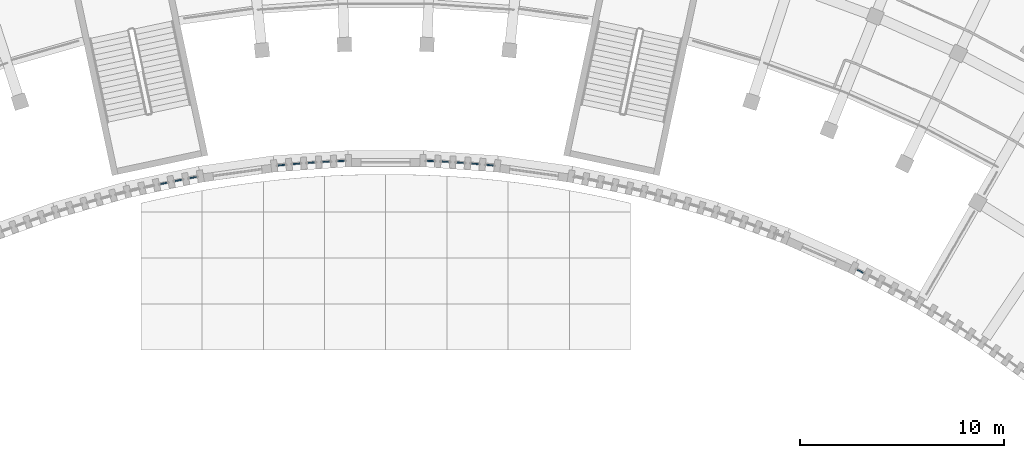
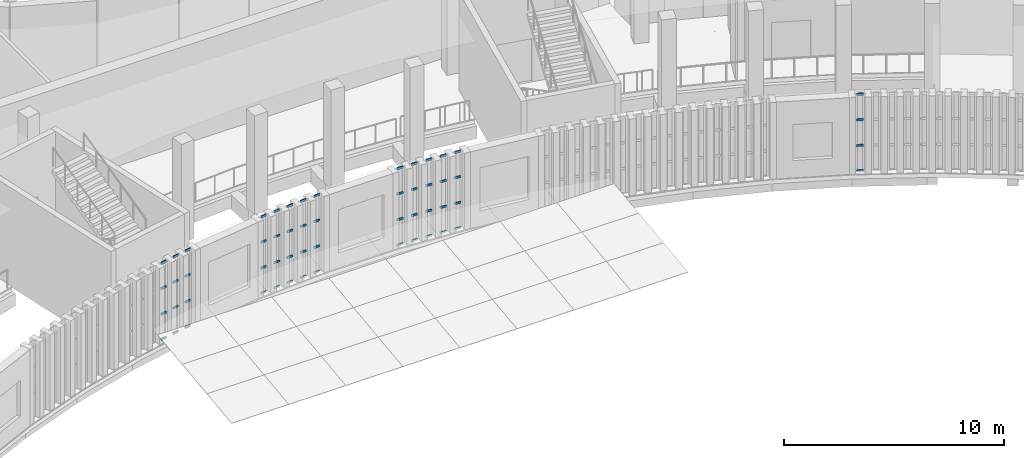
# One storey, part 34 of 112: 56 members, 14 elements without a shape of their own.
"""IFC4 building model written with IfcOpenShell, lengths in metres."""

from ifc_helpers import new_model, si_unit, direction, frame, origin, origin_2d, place, context, subcontext, project, spatial, rectangle, extrude, material, layer, layer_set, material_profile, profile_set, type_object, element, aggregate, save


model = new_model("IFC4")

# Units and contexts
model_context = context("Model", 3, precision=1e-05, world=origin(), true_north=direction((0.0, 1.0)))
body_context = subcontext(model_context, "Body", "Model", "MODEL_VIEW")
ifc_project = project(units=[si_unit("LENGTHUNIT", "METRE"), si_unit("AREAUNIT", "SQUARE_METRE"), si_unit("VOLUMEUNIT", "CUBIC_METRE"), si_unit("PLANEANGLEUNIT", "RADIAN"), si_unit("MASSUNIT", "GRAM", prefix="KILO")], contexts=[model_context])

# Site, building, storey
site_placement = place(None, origin())
site = spatial("IfcSite", under=ifc_project, at=site_placement, CompositionType="ELEMENT")
building_placement = place(site_placement, origin())
building = spatial("IfcBuilding", under=site, at=building_placement, Name="Lunette Opera House", CompositionType="ELEMENT")
storey_placement = place(building_placement, frame((0.0, 0.0, 6.0)))
storey = spatial("IfcBuildingStorey", under=building, at=storey_placement, Name="L01", CompositionType="ELEMENT", Elevation=6.0)

# Curtain wall, members
ifc_material_1 = material(Name="Aluminium", Category="aluminium")
ifc_layer = layer(ifc_material_1, 0.1201171875)
ifc_layer_set = layer_set([ifc_layer], Name="Aluminium")
curtain_wall_type = type_object("IfcCurtainWallType", Name="SLOT CURTAIN WALL", PredefinedType="NOTDEFINED", material=ifc_layer_set)
curtain_wall_1_placement = place(storey_placement, origin())
curtain_wall_1 = element("IfcCurtainWall", 1, at=curtain_wall_1_placement, inside=storey, type_object=curtain_wall_type, Name="Slot Curtain Wall CS033 L01", PredefinedType="NOTDEFINED")
ifc_material_2 = material(Name="Aluminium", Category="aluminium")
ifc_material_profile = material_profile(ifc_material_2, rectangle(XDim=0.06005859375, YDim=0.1201171875, at=origin_2d()), Name="TRANSOM 60 X 120")
ifc_profile_set = profile_set([ifc_material_profile], Name="Aluminium")
member_type = type_object("IfcMemberType", Name="TRANSOM 60 X 120", PredefinedType="USERDEFINED", material=ifc_profile_set)
member_1_placement = place(storey_placement, frame((84.974609375, 51.12451171875, 0.030029296875), z_axis=(0.978533089952, 0.206089766533, 0.0), x_axis=(-0.206089766533, 0.978533089952, 0.0)))
member_1 = element("IfcMember", 2, at=member_1_placement, type_object=member_type, Name="FC-X2066 transom 1.1", ObjectType="TRANSOM", PredefinedType="USERDEFINED", context=body_context, shape_type="SweptSolid", body=[
    extrude(rectangle(XDim=0.06005859375, YDim=0.1201171875, at=origin_2d()), origin(), (0.0, 0.0, 1.0), 0.310302734375),
])
member_2_placement = place(storey_placement, frame((84.974609375, 51.12451171875, 1.43310546875), z_axis=(0.978533089952, 0.206089766533, 0.0), x_axis=(-0.206089766533, 0.978533089952, 0.0)))
member_2 = element("IfcMember", 3, at=member_2_placement, type_object=member_type, Name="FC-X2066 transom 1.2", ObjectType="TRANSOM", PredefinedType="USERDEFINED", context=body_context, shape_type="SweptSolid", body=[
    extrude(rectangle(XDim=0.06005859375, YDim=0.1201171875, at=origin_2d()), origin(), (0.0, 0.0, 1.0), 0.310302734375),
])
member_3_placement = place(storey_placement, frame((84.974609375, 51.12451171875, 2.866943359375), z_axis=(0.978533089952, 0.206089766533, 0.0), x_axis=(-0.206089766533, 0.978533089952, 0.0)))
member_3 = element("IfcMember", 4, at=member_3_placement, type_object=member_type, Name="FC-X2066 transom 1.3", ObjectType="TRANSOM", PredefinedType="USERDEFINED", context=body_context, shape_type="SweptSolid", body=[
    extrude(rectangle(XDim=0.06005859375, YDim=0.1201171875, at=origin_2d()), origin(), (0.0, 0.0, 1.0), 0.310302734375),
])
member_4_placement = place(storey_placement, frame((84.974609375, 51.12451171875, 4.27001953125), z_axis=(0.978533089952, 0.206089766533, 0.0), x_axis=(-0.206089766533, 0.978533089952, 0.0)))
member_4 = element("IfcMember", 5, at=member_4_placement, type_object=member_type, Name="FC-X2066 transom 1.4", ObjectType="TRANSOM", PredefinedType="USERDEFINED", context=body_context, shape_type="SweptSolid", body=[
    extrude(rectangle(XDim=0.06005859375, YDim=0.1201171875, at=origin_2d()), origin(), (0.0, 0.0, 1.0), 0.310302734375),
])
aggregate(curtain_wall_1, [member_1, member_2, member_3, member_4])

curtain_wall_2_placement = place(storey_placement, origin())
curtain_wall_2 = element("IfcCurtainWall", 6, at=curtain_wall_2_placement, inside=storey, type_object=curtain_wall_type, Name="Slot Curtain Wall CS034 L01", PredefinedType="NOTDEFINED")
member_5_placement = place(storey_placement, frame((85.68994140625, 51.273681640625, 0.030029296875), z_axis=(0.981211567536, 0.192934858785, 0.0), x_axis=(-0.192934858785, 0.981211567536, 0.0)))
member_5 = element("IfcMember", 7, at=member_5_placement, type_object=member_type, Name="FC-X2068 transom 1.1", ObjectType="TRANSOM", PredefinedType="USERDEFINED", context=body_context, shape_type="SweptSolid", body=[
    extrude(rectangle(XDim=0.06005859375, YDim=0.1201171875, at=origin_2d()), origin(), (0.0, 0.0, 1.0), 0.31005859375),
])
member_6_placement = place(storey_placement, frame((85.68994140625, 51.273681640625, 1.43310546875), z_axis=(0.981211567536, 0.192934858785, 0.0), x_axis=(-0.192934858785, 0.981211567536, 0.0)))
member_6 = element("IfcMember", 8, at=member_6_placement, type_object=member_type, Name="FC-X2068 transom 1.2", ObjectType="TRANSOM", PredefinedType="USERDEFINED", context=body_context, shape_type="SweptSolid", body=[
    extrude(rectangle(XDim=0.06005859375, YDim=0.1201171875, at=origin_2d()), origin(), (0.0, 0.0, 1.0), 0.31005859375),
])
member_7_placement = place(storey_placement, frame((85.68994140625, 51.273681640625, 2.866943359375), z_axis=(0.981211567536, 0.192934858785, 0.0), x_axis=(-0.192934858785, 0.981211567536, 0.0)))
member_7 = element("IfcMember", 9, at=member_7_placement, type_object=member_type, Name="FC-X2068 transom 1.3", ObjectType="TRANSOM", PredefinedType="USERDEFINED", context=body_context, shape_type="SweptSolid", body=[
    extrude(rectangle(XDim=0.06005859375, YDim=0.1201171875, at=origin_2d()), origin(), (0.0, 0.0, 1.0), 0.31005859375),
])
member_8_placement = place(storey_placement, frame((85.68994140625, 51.273681640625, 4.27001953125), z_axis=(0.981211567536, 0.192934858785, 0.0), x_axis=(-0.192934858785, 0.981211567536, 0.0)))
member_8 = element("IfcMember", 10, at=member_8_placement, type_object=member_type, Name="FC-X2068 transom 1.4", ObjectType="TRANSOM", PredefinedType="USERDEFINED", context=body_context, shape_type="SweptSolid", body=[
    extrude(rectangle(XDim=0.06005859375, YDim=0.1201171875, at=origin_2d()), origin(), (0.0, 0.0, 1.0), 0.31005859375),
])
aggregate(curtain_wall_2, [member_5, member_6, member_7, member_8])

curtain_wall_3_placement = place(storey_placement, origin())
curtain_wall_3 = element("IfcCurtainWall", 11, at=curtain_wall_3_placement, inside=storey, type_object=curtain_wall_type, Name="Slot Curtain Wall CS035 L01", PredefinedType="NOTDEFINED")
member_9_placement = place(storey_placement, frame((86.406005859375, 51.412841796875, 0.030029296875), z_axis=(0.983982796931, 0.178263443658, 0.0), x_axis=(-0.178263443658, 0.983982796931, 0.0)))
member_9 = element("IfcMember", 12, at=member_9_placement, type_object=member_type, Name="FC-X2070 transom 1.1", ObjectType="TRANSOM", PredefinedType="USERDEFINED", context=body_context, shape_type="SweptSolid", body=[
    extrude(rectangle(XDim=0.06005859375, YDim=0.1201171875, at=origin_2d()), origin(), (0.0, 0.0, 1.0), 0.310791015625),
])
member_10_placement = place(storey_placement, frame((86.406005859375, 51.412841796875, 1.43310546875), z_axis=(0.983982796931, 0.178263443658, 0.0), x_axis=(-0.178263443658, 0.983982796931, 0.0)))
member_10 = element("IfcMember", 13, at=member_10_placement, type_object=member_type, Name="FC-X2070 transom 1.2", ObjectType="TRANSOM", PredefinedType="USERDEFINED", context=body_context, shape_type="SweptSolid", body=[
    extrude(rectangle(XDim=0.06005859375, YDim=0.1201171875, at=origin_2d()), origin(), (0.0, 0.0, 1.0), 0.310791015625),
])
member_11_placement = place(storey_placement, frame((86.406005859375, 51.412841796875, 2.866943359375), z_axis=(0.983982796931, 0.178263443658, 0.0), x_axis=(-0.178263443658, 0.983982796931, 0.0)))
member_11 = element("IfcMember", 14, at=member_11_placement, type_object=member_type, Name="FC-X2070 transom 1.3", ObjectType="TRANSOM", PredefinedType="USERDEFINED", context=body_context, shape_type="SweptSolid", body=[
    extrude(rectangle(XDim=0.06005859375, YDim=0.1201171875, at=origin_2d()), origin(), (0.0, 0.0, 1.0), 0.310791015625),
])
member_12_placement = place(storey_placement, frame((86.406005859375, 51.412841796875, 4.27001953125), z_axis=(0.983982796931, 0.178263443658, 0.0), x_axis=(-0.178263443658, 0.983982796931, 0.0)))
member_12 = element("IfcMember", 15, at=member_12_placement, type_object=member_type, Name="FC-X2070 transom 1.4", ObjectType="TRANSOM", PredefinedType="USERDEFINED", context=body_context, shape_type="SweptSolid", body=[
    extrude(rectangle(XDim=0.06005859375, YDim=0.1201171875, at=origin_2d()), origin(), (0.0, 0.0, 1.0), 0.310791015625),
])
aggregate(curtain_wall_3, [member_9, member_10, member_11, member_12])

curtain_wall_4_placement = place(storey_placement, origin())
curtain_wall_4 = element("IfcCurtainWall", 16, at=curtain_wall_4_placement, inside=storey, type_object=curtain_wall_type, Name="Slot Curtain Wall CS036 L01", PredefinedType="NOTDEFINED")
member_13_placement = place(storey_placement, frame((90.74169921875, 52.034912109375, 0.030029296875), z_axis=(0.995252406868, 0.097327522438, 0.0), x_axis=(-0.097327522438, 0.995252406868, 0.0)))
member_13 = element("IfcMember", 17, at=member_13_placement, type_object=member_type, Name="FC-X2072 transom 1.1", ObjectType="TRANSOM", PredefinedType="USERDEFINED", context=body_context, shape_type="SweptSolid", body=[
    extrude(rectangle(XDim=0.06005859375, YDim=0.1201171875, at=origin_2d()), origin(), (0.0, 0.0, 1.0), 0.31103515625),
])
member_14_placement = place(storey_placement, frame((90.74169921875, 52.034912109375, 1.43310546875), z_axis=(0.995252406868, 0.097327522438, 0.0), x_axis=(-0.097327522438, 0.995252406868, 0.0)))
member_14 = element("IfcMember", 18, at=member_14_placement, type_object=member_type, Name="FC-X2072 transom 1.2", ObjectType="TRANSOM", PredefinedType="USERDEFINED", context=body_context, shape_type="SweptSolid", body=[
    extrude(rectangle(XDim=0.06005859375, YDim=0.1201171875, at=origin_2d()), origin(), (0.0, 0.0, 1.0), 0.31103515625),
])
member_15_placement = place(storey_placement, frame((90.74169921875, 52.034912109375, 2.866943359375), z_axis=(0.995252406868, 0.097327522438, 0.0), x_axis=(-0.097327522438, 0.995252406868, 0.0)))
member_15 = element("IfcMember", 19, at=member_15_placement, type_object=member_type, Name="FC-X2072 transom 1.3", ObjectType="TRANSOM", PredefinedType="USERDEFINED", context=body_context, shape_type="SweptSolid", body=[
    extrude(rectangle(XDim=0.06005859375, YDim=0.1201171875, at=origin_2d()), origin(), (0.0, 0.0, 1.0), 0.31103515625),
])
member_16_placement = place(storey_placement, frame((90.74169921875, 52.034912109375, 4.27001953125), z_axis=(0.995252406868, 0.097327522438, 0.0), x_axis=(-0.097327522438, 0.995252406868, 0.0)))
member_16 = element("IfcMember", 20, at=member_16_placement, type_object=member_type, Name="FC-X2072 transom 1.4", ObjectType="TRANSOM", PredefinedType="USERDEFINED", context=body_context, shape_type="SweptSolid", body=[
    extrude(rectangle(XDim=0.06005859375, YDim=0.1201171875, at=origin_2d()), origin(), (0.0, 0.0, 1.0), 0.31103515625),
])
aggregate(curtain_wall_4, [member_13, member_14, member_15, member_16])

curtain_wall_5_placement = place(storey_placement, origin())
curtain_wall_5 = element("IfcCurtainWall", 21, at=curtain_wall_5_placement, inside=storey, type_object=curtain_wall_type, Name="Slot Curtain Wall CS037 L01", PredefinedType="NOTDEFINED")
member_17_placement = place(storey_placement, frame((91.46875, 52.10302734375, 0.030029296875), z_axis=(0.996524044224, 0.083305637766, 0.0), x_axis=(-0.083305637766, 0.996524044224, 0.0)))
member_17 = element("IfcMember", 22, at=member_17_placement, type_object=member_type, Name="FC-X2074 transom 1.1", ObjectType="TRANSOM", PredefinedType="USERDEFINED", context=body_context, shape_type="SweptSolid", body=[
    extrude(rectangle(XDim=0.06005859375, YDim=0.1201171875, at=origin_2d()), origin(), (0.0, 0.0, 1.0), 0.310546875),
])
member_18_placement = place(storey_placement, frame((91.46875, 52.10302734375, 1.43310546875), z_axis=(0.996524044224, 0.083305637766, 0.0), x_axis=(-0.083305637766, 0.996524044224, 0.0)))
member_18 = element("IfcMember", 23, at=member_18_placement, type_object=member_type, Name="FC-X2074 transom 1.2", ObjectType="TRANSOM", PredefinedType="USERDEFINED", context=body_context, shape_type="SweptSolid", body=[
    extrude(rectangle(XDim=0.06005859375, YDim=0.1201171875, at=origin_2d()), origin(), (0.0, 0.0, 1.0), 0.310546875),
])
member_19_placement = place(storey_placement, frame((91.46875, 52.10302734375, 2.866943359375), z_axis=(0.996524044224, 0.083305637766, 0.0), x_axis=(-0.083305637766, 0.996524044224, 0.0)))
member_19 = element("IfcMember", 24, at=member_19_placement, type_object=member_type, Name="FC-X2074 transom 1.3", ObjectType="TRANSOM", PredefinedType="USERDEFINED", context=body_context, shape_type="SweptSolid", body=[
    extrude(rectangle(XDim=0.06005859375, YDim=0.1201171875, at=origin_2d()), origin(), (0.0, 0.0, 1.0), 0.310546875),
])
member_20_placement = place(storey_placement, frame((91.46875, 52.10302734375, 4.27001953125), z_axis=(0.996524044224, 0.083305637766, 0.0), x_axis=(-0.083305637766, 0.996524044224, 0.0)))
member_20 = element("IfcMember", 25, at=member_20_placement, type_object=member_type, Name="FC-X2074 transom 1.4", ObjectType="TRANSOM", PredefinedType="USERDEFINED", context=body_context, shape_type="SweptSolid", body=[
    extrude(rectangle(XDim=0.06005859375, YDim=0.1201171875, at=origin_2d()), origin(), (0.0, 0.0, 1.0), 0.310546875),
])
aggregate(curtain_wall_5, [member_17, member_18, member_19, member_20])

curtain_wall_6_placement = place(storey_placement, origin())
curtain_wall_6 = element("IfcCurtainWall", 26, at=curtain_wall_6_placement, inside=storey, type_object=curtain_wall_type, Name="Slot Curtain Wall CS038 L01", PredefinedType="NOTDEFINED")
member_21_placement = place(storey_placement, frame((92.19677734375, 52.1611328125, 0.030029296875), z_axis=(0.99754193591, 0.070072006548, 0.0), x_axis=(-0.070072006548, 0.99754193591, 0.0)))
member_21 = element("IfcMember", 27, at=member_21_placement, type_object=member_type, Name="FC-X2076 transom 1.1", ObjectType="TRANSOM", PredefinedType="USERDEFINED", context=body_context, shape_type="SweptSolid", body=[
    extrude(rectangle(XDim=0.06005859375, YDim=0.1201171875, at=origin_2d()), origin(), (0.0, 0.0, 1.0), 0.31005859375),
])
member_22_placement = place(storey_placement, frame((92.19677734375, 52.1611328125, 1.43310546875), z_axis=(0.99754193591, 0.070072006548, 0.0), x_axis=(-0.070072006548, 0.99754193591, 0.0)))
member_22 = element("IfcMember", 28, at=member_22_placement, type_object=member_type, Name="FC-X2076 transom 1.2", ObjectType="TRANSOM", PredefinedType="USERDEFINED", context=body_context, shape_type="SweptSolid", body=[
    extrude(rectangle(XDim=0.06005859375, YDim=0.1201171875, at=origin_2d()), origin(), (0.0, 0.0, 1.0), 0.31005859375),
])
member_23_placement = place(storey_placement, frame((92.19677734375, 52.1611328125, 2.866943359375), z_axis=(0.99754193591, 0.070072006548, 0.0), x_axis=(-0.070072006548, 0.99754193591, 0.0)))
member_23 = element("IfcMember", 29, at=member_23_placement, type_object=member_type, Name="FC-X2076 transom 1.3", ObjectType="TRANSOM", PredefinedType="USERDEFINED", context=body_context, shape_type="SweptSolid", body=[
    extrude(rectangle(XDim=0.06005859375, YDim=0.1201171875, at=origin_2d()), origin(), (0.0, 0.0, 1.0), 0.31005859375),
])
member_24_placement = place(storey_placement, frame((92.19677734375, 52.1611328125, 4.27001953125), z_axis=(0.99754193591, 0.070072006548, 0.0), x_axis=(-0.070072006548, 0.99754193591, 0.0)))
member_24 = element("IfcMember", 30, at=member_24_placement, type_object=member_type, Name="FC-X2076 transom 1.4", ObjectType="TRANSOM", PredefinedType="USERDEFINED", context=body_context, shape_type="SweptSolid", body=[
    extrude(rectangle(XDim=0.06005859375, YDim=0.1201171875, at=origin_2d()), origin(), (0.0, 0.0, 1.0), 0.31005859375),
])
aggregate(curtain_wall_6, [member_21, member_22, member_23, member_24])

curtain_wall_7_placement = place(storey_placement, origin())
curtain_wall_7 = element("IfcCurtainWall", 31, at=curtain_wall_7_placement, inside=storey, type_object=curtain_wall_type, Name="Slot Curtain Wall CS039 L01", PredefinedType="NOTDEFINED")
member_25_placement = place(storey_placement, frame((92.926025390625, 52.20947265625, 0.030029296875), z_axis=(0.998474879142, 0.055207931706, 0.0), x_axis=(-0.055207931706, 0.998474879142, 0.0)))
member_25 = element("IfcMember", 32, at=member_25_placement, type_object=member_type, Name="FC-X2078 transom 1.1", ObjectType="TRANSOM", PredefinedType="USERDEFINED", context=body_context, shape_type="SweptSolid", body=[
    extrude(rectangle(XDim=0.06005859375, YDim=0.1201171875, at=origin_2d()), origin(), (0.0, 0.0, 1.0), 0.3095703125),
])
member_26_placement = place(storey_placement, frame((92.926025390625, 52.20947265625, 1.43310546875), z_axis=(0.998474879142, 0.055207931706, 0.0), x_axis=(-0.055207931706, 0.998474879142, 0.0)))
member_26 = element("IfcMember", 33, at=member_26_placement, type_object=member_type, Name="FC-X2078 transom 1.2", ObjectType="TRANSOM", PredefinedType="USERDEFINED", context=body_context, shape_type="SweptSolid", body=[
    extrude(rectangle(XDim=0.06005859375, YDim=0.1201171875, at=origin_2d()), origin(), (0.0, 0.0, 1.0), 0.3095703125),
])
member_27_placement = place(storey_placement, frame((92.926025390625, 52.20947265625, 2.866943359375), z_axis=(0.998474879142, 0.055207931706, 0.0), x_axis=(-0.055207931706, 0.998474879142, 0.0)))
member_27 = element("IfcMember", 34, at=member_27_placement, type_object=member_type, Name="FC-X2078 transom 1.3", ObjectType="TRANSOM", PredefinedType="USERDEFINED", context=body_context, shape_type="SweptSolid", body=[
    extrude(rectangle(XDim=0.06005859375, YDim=0.1201171875, at=origin_2d()), origin(), (0.0, 0.0, 1.0), 0.3095703125),
])
member_28_placement = place(storey_placement, frame((92.926025390625, 52.20947265625, 4.27001953125), z_axis=(0.998474879142, 0.055207931706, 0.0), x_axis=(-0.055207931706, 0.998474879142, 0.0)))
member_28 = element("IfcMember", 35, at=member_28_placement, type_object=member_type, Name="FC-X2078 transom 1.4", ObjectType="TRANSOM", PredefinedType="USERDEFINED", context=body_context, shape_type="SweptSolid", body=[
    extrude(rectangle(XDim=0.06005859375, YDim=0.1201171875, at=origin_2d()), origin(), (0.0, 0.0, 1.0), 0.3095703125),
])
aggregate(curtain_wall_7, [member_25, member_26, member_27, member_28])

curtain_wall_8_placement = place(storey_placement, origin())
curtain_wall_8 = element("IfcCurtainWall", 36, at=curtain_wall_8_placement, inside=storey, type_object=curtain_wall_type, Name="Slot Curtain Wall CS040 L01", PredefinedType="NOTDEFINED")
member_29_placement = place(storey_placement, frame((93.655029296875, 52.24755859375, 0.030029296875), z_axis=(0.999130344028, 0.041695990735, 0.0), x_axis=(-0.041695990735, 0.999130344028, 0.0)))
member_29 = element("IfcMember", 37, at=member_29_placement, type_object=member_type, Name="FC-X2080 transom 1.1", ObjectType="TRANSOM", PredefinedType="USERDEFINED", context=body_context, shape_type="SweptSolid", body=[
    extrude(rectangle(XDim=0.06005859375, YDim=0.1201171875, at=origin_2d()), origin(), (0.0, 0.0, 1.0), 0.310302734375),
])
member_30_placement = place(storey_placement, frame((93.655029296875, 52.24755859375, 1.43310546875), z_axis=(0.999130344028, 0.041695990735, 0.0), x_axis=(-0.041695990735, 0.999130344028, 0.0)))
member_30 = element("IfcMember", 38, at=member_30_placement, type_object=member_type, Name="FC-X2080 transom 1.2", ObjectType="TRANSOM", PredefinedType="USERDEFINED", context=body_context, shape_type="SweptSolid", body=[
    extrude(rectangle(XDim=0.06005859375, YDim=0.1201171875, at=origin_2d()), origin(), (0.0, 0.0, 1.0), 0.310302734375),
])
member_31_placement = place(storey_placement, frame((93.655029296875, 52.24755859375, 2.866943359375), z_axis=(0.999130344028, 0.041695990735, 0.0), x_axis=(-0.041695990735, 0.999130344028, 0.0)))
member_31 = element("IfcMember", 39, at=member_31_placement, type_object=member_type, Name="FC-X2080 transom 1.3", ObjectType="TRANSOM", PredefinedType="USERDEFINED", context=body_context, shape_type="SweptSolid", body=[
    extrude(rectangle(XDim=0.06005859375, YDim=0.1201171875, at=origin_2d()), origin(), (0.0, 0.0, 1.0), 0.310302734375),
])
member_32_placement = place(storey_placement, frame((93.655029296875, 52.24755859375, 4.27001953125), z_axis=(0.999130344028, 0.041695990735, 0.0), x_axis=(-0.041695990735, 0.999130344028, 0.0)))
member_32 = element("IfcMember", 40, at=member_32_placement, type_object=member_type, Name="FC-X2080 transom 1.4", ObjectType="TRANSOM", PredefinedType="USERDEFINED", context=body_context, shape_type="SweptSolid", body=[
    extrude(rectangle(XDim=0.06005859375, YDim=0.1201171875, at=origin_2d()), origin(), (0.0, 0.0, 1.0), 0.310302734375),
])
aggregate(curtain_wall_8, [member_29, member_30, member_31, member_32])

curtain_wall_9_placement = place(storey_placement, origin())
curtain_wall_9 = element("IfcCurtainWall", 41, at=curtain_wall_9_placement, inside=storey, type_object=curtain_wall_type, Name="Slot Curtain Wall CS041 L01", PredefinedType="NOTDEFINED")
member_33_placement = place(storey_placement, frame((98.034912109375, 52.260498046875, 0.030029296875), z_axis=(0.999130344028, -0.041695990735, 0.0), x_axis=(0.041695990735, 0.999130344028, 0.0)))
member_33 = element("IfcMember", 42, at=member_33_placement, type_object=member_type, Name="FC-X2082 transom 1.1", ObjectType="TRANSOM", PredefinedType="USERDEFINED", context=body_context, shape_type="SweptSolid", body=[
    extrude(rectangle(XDim=0.06005859375, YDim=0.1201171875, at=origin_2d()), origin(), (0.0, 0.0, 1.0), 0.310302734375),
])
member_34_placement = place(storey_placement, frame((98.034912109375, 52.260498046875, 1.43310546875), z_axis=(0.999130344028, -0.041695990735, 0.0), x_axis=(0.041695990735, 0.999130344028, 0.0)))
member_34 = element("IfcMember", 43, at=member_34_placement, type_object=member_type, Name="FC-X2082 transom 1.2", ObjectType="TRANSOM", PredefinedType="USERDEFINED", context=body_context, shape_type="SweptSolid", body=[
    extrude(rectangle(XDim=0.06005859375, YDim=0.1201171875, at=origin_2d()), origin(), (0.0, 0.0, 1.0), 0.310302734375),
])
member_35_placement = place(storey_placement, frame((98.034912109375, 52.260498046875, 2.866943359375), z_axis=(0.999130344028, -0.041695990735, 0.0), x_axis=(0.041695990735, 0.999130344028, 0.0)))
member_35 = element("IfcMember", 44, at=member_35_placement, type_object=member_type, Name="FC-X2082 transom 1.3", ObjectType="TRANSOM", PredefinedType="USERDEFINED", context=body_context, shape_type="SweptSolid", body=[
    extrude(rectangle(XDim=0.06005859375, YDim=0.1201171875, at=origin_2d()), origin(), (0.0, 0.0, 1.0), 0.310302734375),
])
member_36_placement = place(storey_placement, frame((98.034912109375, 52.260498046875, 4.27001953125), z_axis=(0.999130344028, -0.041695990735, 0.0), x_axis=(0.041695990735, 0.999130344028, 0.0)))
member_36 = element("IfcMember", 45, at=member_36_placement, type_object=member_type, Name="FC-X2082 transom 1.4", ObjectType="TRANSOM", PredefinedType="USERDEFINED", context=body_context, shape_type="SweptSolid", body=[
    extrude(rectangle(XDim=0.06005859375, YDim=0.1201171875, at=origin_2d()), origin(), (0.0, 0.0, 1.0), 0.310302734375),
])
aggregate(curtain_wall_9, [member_33, member_34, member_35, member_36])

curtain_wall_10_placement = place(storey_placement, origin())
curtain_wall_10 = element("IfcCurtainWall", 46, at=curtain_wall_10_placement, inside=storey, type_object=curtain_wall_type, Name="Slot Curtain Wall CS042 L01", PredefinedType="NOTDEFINED")
member_37_placement = place(storey_placement, frame((98.764892578125, 52.2265625, 0.030029296875), z_axis=(0.998474879142, -0.055207931706, 0.0), x_axis=(0.055207931706, 0.998474879142, 0.0)))
member_37 = element("IfcMember", 47, at=member_37_placement, type_object=member_type, Name="FC-X2084 transom 1.1", ObjectType="TRANSOM", PredefinedType="USERDEFINED", context=body_context, shape_type="SweptSolid", body=[
    extrude(rectangle(XDim=0.06005859375, YDim=0.1201171875, at=origin_2d()), origin(), (0.0, 0.0, 1.0), 0.3095703125),
])
member_38_placement = place(storey_placement, frame((98.764892578125, 52.2265625, 1.43310546875), z_axis=(0.998474879142, -0.055207931706, 0.0), x_axis=(0.055207931706, 0.998474879142, 0.0)))
member_38 = element("IfcMember", 48, at=member_38_placement, type_object=member_type, Name="FC-X2084 transom 1.2", ObjectType="TRANSOM", PredefinedType="USERDEFINED", context=body_context, shape_type="SweptSolid", body=[
    extrude(rectangle(XDim=0.06005859375, YDim=0.1201171875, at=origin_2d()), origin(), (0.0, 0.0, 1.0), 0.3095703125),
])
member_39_placement = place(storey_placement, frame((98.764892578125, 52.2265625, 2.866943359375), z_axis=(0.998474879142, -0.055207931706, 0.0), x_axis=(0.055207931706, 0.998474879142, 0.0)))
member_39 = element("IfcMember", 49, at=member_39_placement, type_object=member_type, Name="FC-X2084 transom 1.3", ObjectType="TRANSOM", PredefinedType="USERDEFINED", context=body_context, shape_type="SweptSolid", body=[
    extrude(rectangle(XDim=0.06005859375, YDim=0.1201171875, at=origin_2d()), origin(), (0.0, 0.0, 1.0), 0.3095703125),
])
member_40_placement = place(storey_placement, frame((98.764892578125, 52.2265625, 4.27001953125), z_axis=(0.998474879142, -0.055207931706, 0.0), x_axis=(0.055207931706, 0.998474879142, 0.0)))
member_40 = element("IfcMember", 50, at=member_40_placement, type_object=member_type, Name="FC-X2084 transom 1.4", ObjectType="TRANSOM", PredefinedType="USERDEFINED", context=body_context, shape_type="SweptSolid", body=[
    extrude(rectangle(XDim=0.06005859375, YDim=0.1201171875, at=origin_2d()), origin(), (0.0, 0.0, 1.0), 0.3095703125),
])
aggregate(curtain_wall_10, [member_37, member_38, member_39, member_40])

curtain_wall_11_placement = place(storey_placement, origin())
curtain_wall_11 = element("IfcCurtainWall", 51, at=curtain_wall_11_placement, inside=storey, type_object=curtain_wall_type, Name="Slot Curtain Wall CS043 L01", PredefinedType="NOTDEFINED")
member_41_placement = place(storey_placement, frame((99.493896484375, 52.182861328125, 0.030029296875), z_axis=(0.99754193591, -0.070072006548, 0.0), x_axis=(0.070072006548, 0.99754193591, 0.0)))
member_41 = element("IfcMember", 52, at=member_41_placement, type_object=member_type, Name="FC-X2086 transom 1.1", ObjectType="TRANSOM", PredefinedType="USERDEFINED", context=body_context, shape_type="SweptSolid", body=[
    extrude(rectangle(XDim=0.06005859375, YDim=0.1201171875, at=origin_2d()), origin(), (0.0, 0.0, 1.0), 0.31005859375),
])
member_42_placement = place(storey_placement, frame((99.493896484375, 52.182861328125, 1.43310546875), z_axis=(0.99754193591, -0.070072006548, 0.0), x_axis=(0.070072006548, 0.99754193591, 0.0)))
member_42 = element("IfcMember", 53, at=member_42_placement, type_object=member_type, Name="FC-X2086 transom 1.2", ObjectType="TRANSOM", PredefinedType="USERDEFINED", context=body_context, shape_type="SweptSolid", body=[
    extrude(rectangle(XDim=0.06005859375, YDim=0.1201171875, at=origin_2d()), origin(), (0.0, 0.0, 1.0), 0.31005859375),
])
member_43_placement = place(storey_placement, frame((99.493896484375, 52.182861328125, 2.866943359375), z_axis=(0.99754193591, -0.070072006548, 0.0), x_axis=(0.070072006548, 0.99754193591, 0.0)))
member_43 = element("IfcMember", 54, at=member_43_placement, type_object=member_type, Name="FC-X2086 transom 1.3", ObjectType="TRANSOM", PredefinedType="USERDEFINED", context=body_context, shape_type="SweptSolid", body=[
    extrude(rectangle(XDim=0.06005859375, YDim=0.1201171875, at=origin_2d()), origin(), (0.0, 0.0, 1.0), 0.31005859375),
])
member_44_placement = place(storey_placement, frame((99.493896484375, 52.182861328125, 4.27001953125), z_axis=(0.99754193591, -0.070072006548, 0.0), x_axis=(0.070072006548, 0.99754193591, 0.0)))
member_44 = element("IfcMember", 55, at=member_44_placement, type_object=member_type, Name="FC-X2086 transom 1.4", ObjectType="TRANSOM", PredefinedType="USERDEFINED", context=body_context, shape_type="SweptSolid", body=[
    extrude(rectangle(XDim=0.06005859375, YDim=0.1201171875, at=origin_2d()), origin(), (0.0, 0.0, 1.0), 0.31005859375),
])
aggregate(curtain_wall_11, [member_41, member_42, member_43, member_44])

curtain_wall_12_placement = place(storey_placement, origin())
curtain_wall_12 = element("IfcCurtainWall", 56, at=curtain_wall_12_placement, inside=storey, type_object=curtain_wall_type, Name="Slot Curtain Wall CS044 L01", PredefinedType="NOTDEFINED")
member_45_placement = place(storey_placement, frame((100.2216796875, 52.12890625, 0.030029296875), z_axis=(0.996524044224, -0.083305637766, 0.0), x_axis=(0.083305637766, 0.996524044224, 0.0)))
member_45 = element("IfcMember", 57, at=member_45_placement, type_object=member_type, Name="FC-X2088 transom 1.1", ObjectType="TRANSOM", PredefinedType="USERDEFINED", context=body_context, shape_type="SweptSolid", body=[
    extrude(rectangle(XDim=0.06005859375, YDim=0.1201171875, at=origin_2d()), origin(), (0.0, 0.0, 1.0), 0.310546875),
])
member_46_placement = place(storey_placement, frame((100.2216796875, 52.12890625, 1.43310546875), z_axis=(0.996524044224, -0.083305637766, 0.0), x_axis=(0.083305637766, 0.996524044224, 0.0)))
member_46 = element("IfcMember", 58, at=member_46_placement, type_object=member_type, Name="FC-X2088 transom 1.2", ObjectType="TRANSOM", PredefinedType="USERDEFINED", context=body_context, shape_type="SweptSolid", body=[
    extrude(rectangle(XDim=0.06005859375, YDim=0.1201171875, at=origin_2d()), origin(), (0.0, 0.0, 1.0), 0.310546875),
])
member_47_placement = place(storey_placement, frame((100.2216796875, 52.12890625, 2.866943359375), z_axis=(0.996524044224, -0.083305637766, 0.0), x_axis=(0.083305637766, 0.996524044224, 0.0)))
member_47 = element("IfcMember", 59, at=member_47_placement, type_object=member_type, Name="FC-X2088 transom 1.3", ObjectType="TRANSOM", PredefinedType="USERDEFINED", context=body_context, shape_type="SweptSolid", body=[
    extrude(rectangle(XDim=0.06005859375, YDim=0.1201171875, at=origin_2d()), origin(), (0.0, 0.0, 1.0), 0.310546875),
])
member_48_placement = place(storey_placement, frame((100.2216796875, 52.12890625, 4.27001953125), z_axis=(0.996524044224, -0.083305637766, 0.0), x_axis=(0.083305637766, 0.996524044224, 0.0)))
member_48 = element("IfcMember", 60, at=member_48_placement, type_object=member_type, Name="FC-X2088 transom 1.4", ObjectType="TRANSOM", PredefinedType="USERDEFINED", context=body_context, shape_type="SweptSolid", body=[
    extrude(rectangle(XDim=0.06005859375, YDim=0.1201171875, at=origin_2d()), origin(), (0.0, 0.0, 1.0), 0.310546875),
])
aggregate(curtain_wall_12, [member_45, member_46, member_47, member_48])

curtain_wall_13_placement = place(storey_placement, origin())
curtain_wall_13 = element("IfcCurtainWall", 61, at=curtain_wall_13_placement, inside=storey, type_object=curtain_wall_type, Name="Slot Curtain Wall CS045 L01", PredefinedType="NOTDEFINED")
member_49_placement = place(storey_placement, frame((100.94873046875, 52.065185546875, 0.030029296875), z_axis=(0.995252406868, -0.097327522438, 0.0), x_axis=(0.097327522438, 0.995252406868, 0.0)))
member_49 = element("IfcMember", 62, at=member_49_placement, type_object=member_type, Name="FC-X2090 transom 1.1", ObjectType="TRANSOM", PredefinedType="USERDEFINED", context=body_context, shape_type="SweptSolid", body=[
    extrude(rectangle(XDim=0.06005859375, YDim=0.1201171875, at=origin_2d()), origin(), (0.0, 0.0, 1.0), 0.31103515625),
])
member_50_placement = place(storey_placement, frame((100.94873046875, 52.065185546875, 1.43310546875), z_axis=(0.995252406868, -0.097327522438, 0.0), x_axis=(0.097327522438, 0.995252406868, 0.0)))
member_50 = element("IfcMember", 63, at=member_50_placement, type_object=member_type, Name="FC-X2090 transom 1.2", ObjectType="TRANSOM", PredefinedType="USERDEFINED", context=body_context, shape_type="SweptSolid", body=[
    extrude(rectangle(XDim=0.06005859375, YDim=0.1201171875, at=origin_2d()), origin(), (0.0, 0.0, 1.0), 0.31103515625),
])
member_51_placement = place(storey_placement, frame((100.94873046875, 52.065185546875, 2.866943359375), z_axis=(0.995252406868, -0.097327522438, 0.0), x_axis=(0.097327522438, 0.995252406868, 0.0)))
member_51 = element("IfcMember", 64, at=member_51_placement, type_object=member_type, Name="FC-X2090 transom 1.3", ObjectType="TRANSOM", PredefinedType="USERDEFINED", context=body_context, shape_type="SweptSolid", body=[
    extrude(rectangle(XDim=0.06005859375, YDim=0.1201171875, at=origin_2d()), origin(), (0.0, 0.0, 1.0), 0.31103515625),
])
member_52_placement = place(storey_placement, frame((100.94873046875, 52.065185546875, 4.27001953125), z_axis=(0.995252406868, -0.097327522438, 0.0), x_axis=(0.097327522438, 0.995252406868, 0.0)))
member_52 = element("IfcMember", 65, at=member_52_placement, type_object=member_type, Name="FC-X2090 transom 1.4", ObjectType="TRANSOM", PredefinedType="USERDEFINED", context=body_context, shape_type="SweptSolid", body=[
    extrude(rectangle(XDim=0.06005859375, YDim=0.1201171875, at=origin_2d()), origin(), (0.0, 0.0, 1.0), 0.31103515625),
])
aggregate(curtain_wall_13, [member_49, member_50, member_51, member_52])

curtain_wall_14_placement = place(storey_placement, origin())
curtain_wall_14 = element("IfcCurtainWall", 66, at=curtain_wall_14_placement, inside=storey, type_object=curtain_wall_type, Name="Slot Curtain Wall CS061 L01", PredefinedType="NOTDEFINED")
member_53_placement = place(storey_placement, frame((119.11572265625, 46.914306640625, 0.030029296875), z_axis=(0.895840911293, -0.444374911143, 0.0), x_axis=(0.444374911143, 0.895840911293, 0.0)))
member_53 = element("IfcMember", 67, at=member_53_placement, type_object=member_type, Name="FC-X2122 transom 1.1", ObjectType="TRANSOM", PredefinedType="USERDEFINED", context=body_context, shape_type="SweptSolid", body=[
    extrude(rectangle(XDim=0.06005859375, YDim=0.1201171875, at=origin_2d()), origin(), (0.0, 0.0, 1.0), 0.309814453125),
])
member_54_placement = place(storey_placement, frame((119.11572265625, 46.914306640625, 1.43310546875), z_axis=(0.895840911293, -0.444374911143, 0.0), x_axis=(0.444374911143, 0.895840911293, 0.0)))
member_54 = element("IfcMember", 68, at=member_54_placement, type_object=member_type, Name="FC-X2122 transom 1.2", ObjectType="TRANSOM", PredefinedType="USERDEFINED", context=body_context, shape_type="SweptSolid", body=[
    extrude(rectangle(XDim=0.06005859375, YDim=0.1201171875, at=origin_2d()), origin(), (0.0, 0.0, 1.0), 0.309814453125),
])
member_55_placement = place(storey_placement, frame((119.11572265625, 46.914306640625, 2.866943359375), z_axis=(0.895840911293, -0.444374911143, 0.0), x_axis=(0.444374911143, 0.895840911293, 0.0)))
member_55 = element("IfcMember", 69, at=member_55_placement, type_object=member_type, Name="FC-X2122 transom 1.3", ObjectType="TRANSOM", PredefinedType="USERDEFINED", context=body_context, shape_type="SweptSolid", body=[
    extrude(rectangle(XDim=0.06005859375, YDim=0.1201171875, at=origin_2d()), origin(), (0.0, 0.0, 1.0), 0.309814453125),
])
member_56_placement = place(storey_placement, frame((119.11572265625, 46.914306640625, 4.27001953125), z_axis=(0.895840911293, -0.444374911143, 0.0), x_axis=(0.444374911143, 0.895840911293, 0.0)))
member_56 = element("IfcMember", 70, at=member_56_placement, type_object=member_type, Name="FC-X2122 transom 1.4", ObjectType="TRANSOM", PredefinedType="USERDEFINED", context=body_context, shape_type="SweptSolid", body=[
    extrude(rectangle(XDim=0.06005859375, YDim=0.1201171875, at=origin_2d()), origin(), (0.0, 0.0, 1.0), 0.309814453125),
])
aggregate(curtain_wall_14, [member_53, member_54, member_55, member_56])

save(model, "model.ifc")
